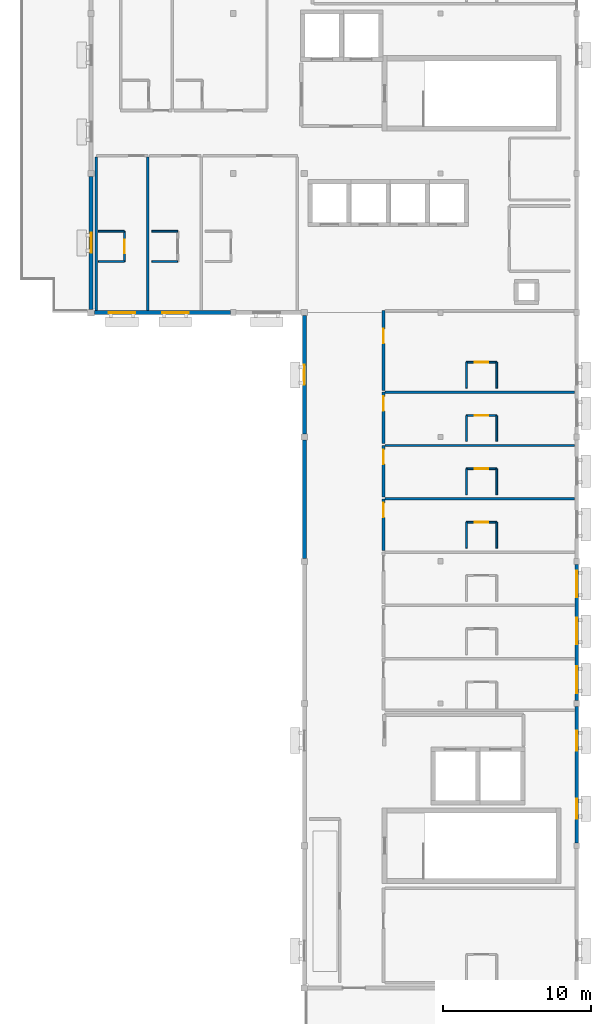
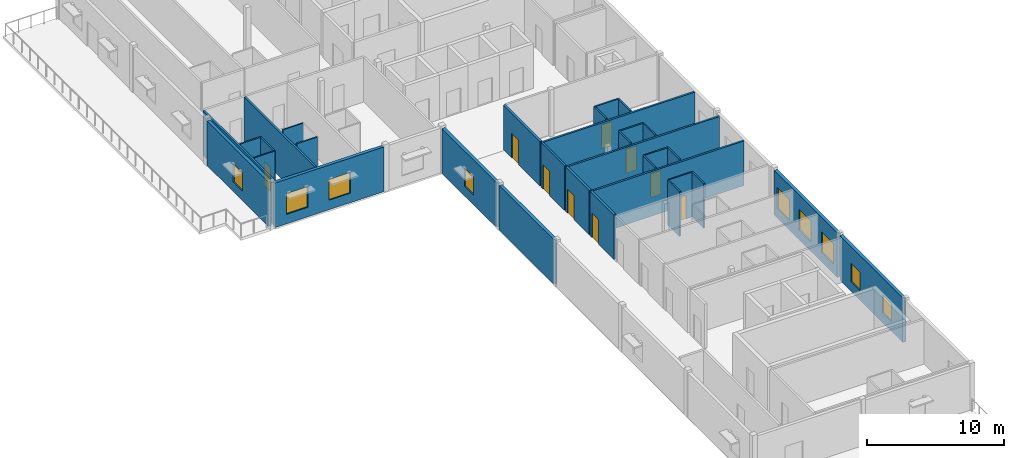
# One storey, part 5 of 9: 32 walls, 9 doors, 9 windows, 18 openings.
"""IFC4 building model written with IfcOpenShell, lengths in metres."""

from ifc_helpers import new_model, si_unit, direction, frame, frame_2d, origin, place, context, subcontext, project, spatial, rectangle, extrude, material, layer, layer_set, type_object, element, fill, save


model = new_model("IFC4")

# Units and contexts
model_context = context("Model", 3, precision=1e-05, world=origin(), true_north=direction((0.0, 1.0)))
body_context = subcontext(model_context, "Body", "Model", "MODEL_VIEW")
ifc_project = project(units=[si_unit("LENGTHUNIT", "METRE"), si_unit("AREAUNIT", "SQUARE_METRE"), si_unit("VOLUMEUNIT", "CUBIC_METRE"), si_unit("PLANEANGLEUNIT", "RADIAN"), si_unit("MASSUNIT", "GRAM", prefix="KILO")], contexts=[model_context])

# Site, building, storey
site_placement = place(None, origin())
site = spatial("IfcSite", under=ifc_project, at=site_placement, CompositionType="ELEMENT")
building_placement = place(site_placement, origin())
building = spatial("IfcBuilding", under=site, at=building_placement, Name="Veldera Park Congress Hotel", CompositionType="ELEMENT")
storey_placement = place(building_placement, frame((0.0, 0.0, 46.60009765625)))
storey = spatial("IfcBuildingStorey", under=building, at=storey_placement, Name="L11", CompositionType="ELEMENT", Elevation=46.60009765625)

# Wall, openings, windows
ifc_material_1 = material(Name="Cross-laminated timber CLT V2M1.1", Category="wood")
ifc_layer_1 = layer(ifc_material_1, 0.264892578125)
ifc_layer_set_1 = layer_set([ifc_layer_1], Name="Cross-laminated timber CLT V2M1.1")
wall_type_1 = type_object("IfcWallType", Name="EW-CLT265", PredefinedType="STANDARD", material=ifc_layer_set_1)
wall_1_placement = place(storey_placement, frame((84.0, -8.806884765625, 0.0), z_axis=(0.0, 0.0, 1.0), x_axis=(0.0, 1.0, 0.0)))
wall_1 = element("IfcWall", 1, at=wall_1_placement, inside=storey, type_object=wall_type_1, Name="L11 Exterior Wall EW3-L11-0452", PredefinedType="STANDARD", context=body_context, shape_type="SweptSolid", body=[
    extrude(rectangle(XDim=9.2138671875, YDim=0.264892578125, at=frame_2d((4.60693359375, 0.0))), origin(), (0.0, 0.0, 1.0), 3.989990234375),
])
opening_1_placement = place(wall_1_placement, frame((1.62841796875, 0.0, 0.85009765625)))
opening_1 = element("IfcOpeningElement", 2, at=opening_1_placement, cuts=wall_1, Name="Opening WIN-1350", PredefinedType="OPENING", context=body_context, shape_type="SweptSolid", body=[
    extrude(rectangle(XDim=1.35009765625, YDim=1.64990234375, at=frame_2d((0.675048828125, 0.824951171875))), frame((0.0, 0.14453125, 0.0), z_axis=(0.0, -1.0, 0.0), x_axis=(1.0, 0.0, 0.0)), (0.0, 0.0, 1.0), 0.288818359375),
])
opening_2_placement = place(wall_1_placement, frame((6.235595703125, 0.0, 0.85009765625)))
opening_2 = element("IfcOpeningElement", 3, at=opening_2_placement, cuts=wall_1, Name="Opening WIN-1350", PredefinedType="OPENING", context=body_context, shape_type="SweptSolid", body=[
    extrude(rectangle(XDim=1.35009765625, YDim=1.64990234375, at=frame_2d((0.675048828125, 0.824951171875))), frame((0.0, 0.14453125, 0.0), z_axis=(0.0, -1.0, 0.0), x_axis=(1.0, 0.0, 0.0)), (0.0, 0.0, 1.0), 0.288818359375),
])
ifc_material_2 = material(Name="Low-E Triple Insulating Glass Unit (SHGC 0.22)", Category="glass")
window_type_1 = type_object("IfcWindowType", Name="WIN-1350", PartitioningType="SINGLE_PANEL", PredefinedType="WINDOW", material=ifc_material_2)
window_1_placement = place(opening_1_placement, origin())
window_1 = element("IfcWindow", 4, at=window_1_placement, inside=storey, type_object=window_type_1, Name="L11 Window WIN-1350 345", OverallHeight=1.64990234375, OverallWidth=1.35009765625, PartitioningType="SINGLE_PANEL", PredefinedType="WINDOW", context=body_context, shape_type="SweptSolid", body=[
    extrude(rectangle(XDim=1.35009765625, YDim=1.64990234375, at=frame_2d((0.675048828125, 0.824951171875))), frame((0.0, 0.030029296875, 0.0), z_axis=(0.0, -1.0, 0.0), x_axis=(1.0, 0.0, 0.0)), (0.0, 0.0, 1.0), 0.06005859375),
])
fill(opening_1, window_1)
window_2_placement = place(opening_2_placement, origin())
window_2 = element("IfcWindow", 5, at=window_2_placement, inside=storey, type_object=window_type_1, Name="L11 Window WIN-1350 346", OverallHeight=1.64990234375, OverallWidth=1.35009765625, PartitioningType="SINGLE_PANEL", PredefinedType="WINDOW", context=body_context, shape_type="SweptSolid", body=[
    extrude(rectangle(XDim=1.35009765625, YDim=1.64990234375, at=frame_2d((0.675048828125, 0.824951171875))), frame((0.0, 0.030029296875, 0.0), z_axis=(0.0, -1.0, 0.0), x_axis=(1.0, 0.0, 0.0)), (0.0, 0.0, 1.0), 0.06005859375),
])
fill(opening_2, window_2)

wall_2_placement = place(storey_placement, frame((84.0, 0.79296875, 0.0), z_axis=(0.0, 0.0, 1.0), x_axis=(0.0, 1.0, 0.0)))
wall_2 = element("IfcWall", 6, at=wall_2_placement, inside=storey, type_object=wall_type_1, Name="L11 Exterior Wall EW3-L11-0453", PredefinedType="STANDARD", context=body_context, shape_type="SweptSolid", body=[
    extrude(rectangle(XDim=9.214111328125, YDim=0.264892578125, at=frame_2d((4.60693359375, 0.0))), origin(), (0.0, 0.0, 1.0), 3.989990234375),
])
opening_3_placement = place(wall_2_placement, frame((0.5185546875, 0.0, 0.85009765625)))
opening_3 = element("IfcOpeningElement", 7, at=opening_3_placement, cuts=wall_2, Name="Opening WIN-1800", PredefinedType="OPENING", context=body_context, shape_type="SweptSolid", body=[
    extrude(rectangle(XDim=1.800048828125, YDim=1.85009765625, at=frame_2d((0.89990234375, 0.925048828125))), frame((0.0, 0.14453125, 0.0), z_axis=(0.0, -1.0, 0.0), x_axis=(1.0, 0.0, 0.0)), (0.0, 0.0, 1.0), 0.288818359375),
])
opening_4_placement = place(wall_2_placement, frame((3.797119140625, 0.0, 0.85009765625)))
opening_4 = element("IfcOpeningElement", 8, at=opening_4_placement, cuts=wall_2, Name="Opening WIN-1800", PredefinedType="OPENING", context=body_context, shape_type="SweptSolid", body=[
    extrude(rectangle(XDim=1.800048828125, YDim=1.85009765625, at=frame_2d((0.89990234375, 0.925048828125))), frame((0.0, 0.14453125, 0.0), z_axis=(0.0, -1.0, 0.0), x_axis=(1.0, 0.0, 0.0)), (0.0, 0.0, 1.0), 0.288818359375),
])
opening_5_placement = place(wall_2_placement, frame((6.985595703125, 0.0, 0.85009765625)))
opening_5 = element("IfcOpeningElement", 9, at=opening_5_placement, cuts=wall_2, Name="Opening WIN-1800", PredefinedType="OPENING", context=body_context, shape_type="SweptSolid", body=[
    extrude(rectangle(XDim=1.800048828125, YDim=1.85009765625, at=frame_2d((0.89990234375, 0.925048828125))), frame((0.0, 0.14453125, 0.0), z_axis=(0.0, -1.0, 0.0), x_axis=(1.0, 0.0, 0.0)), (0.0, 0.0, 1.0), 0.288818359375),
])
window_type_2 = type_object("IfcWindowType", Name="WIN-1800", PartitioningType="SINGLE_PANEL", PredefinedType="WINDOW", material=ifc_material_2)
window_3_placement = place(opening_3_placement, origin())
window_3 = element("IfcWindow", 10, at=window_3_placement, inside=storey, type_object=window_type_2, Name="L11 Window WIN-1800 596", OverallHeight=1.85009765625, OverallWidth=1.800048828125, PartitioningType="SINGLE_PANEL", PredefinedType="WINDOW", context=body_context, shape_type="SweptSolid", body=[
    extrude(rectangle(XDim=1.800048828125, YDim=1.85009765625, at=frame_2d((0.89990234375, 0.925048828125))), frame((0.0, 0.030029296875, 0.0), z_axis=(0.0, -1.0, 0.0), x_axis=(1.0, 0.0, 0.0)), (0.0, 0.0, 1.0), 0.06005859375),
])
fill(opening_3, window_3)
window_4_placement = place(opening_4_placement, origin())
window_4 = element("IfcWindow", 11, at=window_4_placement, inside=storey, type_object=window_type_2, Name="L11 Window WIN-1800 597", OverallHeight=1.85009765625, OverallWidth=1.800048828125, PartitioningType="SINGLE_PANEL", PredefinedType="WINDOW", context=body_context, shape_type="SweptSolid", body=[
    extrude(rectangle(XDim=1.800048828125, YDim=1.85009765625, at=frame_2d((0.89990234375, 0.925048828125))), frame((0.0, 0.030029296875, 0.0), z_axis=(0.0, -1.0, 0.0), x_axis=(1.0, 0.0, 0.0)), (0.0, 0.0, 1.0), 0.06005859375),
])
fill(opening_4, window_4)
window_5_placement = place(opening_5_placement, origin())
window_5 = element("IfcWindow", 12, at=window_5_placement, inside=storey, type_object=window_type_2, Name="L11 Window WIN-1800 598", OverallHeight=1.85009765625, OverallWidth=1.800048828125, PartitioningType="SINGLE_PANEL", PredefinedType="WINDOW", context=body_context, shape_type="SweptSolid", body=[
    extrude(rectangle(XDim=1.800048828125, YDim=1.85009765625, at=frame_2d((0.89990234375, 0.925048828125))), frame((0.0, 0.030029296875, 0.0), z_axis=(0.0, -1.0, 0.0), x_axis=(1.0, 0.0, 0.0)), (0.0, 0.0, 1.0), 0.06005859375),
])
fill(opening_5, window_5)

# Wall, opening, window
wall_3_placement = place(storey_placement, frame((51.199951171875, 36.19189453125, 0.0), z_axis=(0.0, 0.0, 1.0), x_axis=(0.0, -1.0, 0.0)))
wall_3 = element("IfcWall", 13, at=wall_3_placement, inside=storey, type_object=wall_type_1, Name="L11 Exterior Wall EW3-L11-0463", PredefinedType="STANDARD", context=body_context, shape_type="SweptSolid", body=[
    extrude(rectangle(XDim=8.968994140625, YDim=0.264892578125, at=frame_2d((4.484375, 0.0))), origin(), (0.0, 0.0, 1.0), 3.989990234375),
])
opening_6_placement = place(wall_3_placement, frame((3.8095703125, 0.0, 0.85009765625)))
opening_6 = element("IfcOpeningElement", 14, at=opening_6_placement, cuts=wall_3, Name="Opening WIN-1350", PredefinedType="OPENING", context=body_context, shape_type="SweptSolid", body=[
    extrude(rectangle(XDim=1.35009765625, YDim=1.64990234375, at=frame_2d((0.675048828125, 0.824951171875))), frame((0.0, 0.14453125, 0.0), z_axis=(0.0, -1.0, 0.0), x_axis=(1.0, 0.0, 0.0)), (0.0, 0.0, 1.0), 0.288818359375),
])
window_6_placement = place(opening_6_placement, origin())
window_6 = element("IfcWindow", 15, at=window_6_placement, inside=storey, type_object=window_type_1, Name="L11 Window WIN-1350 353", OverallHeight=1.64990234375, OverallWidth=1.35009765625, PartitioningType="SINGLE_PANEL", PredefinedType="WINDOW", context=body_context, shape_type="SweptSolid", body=[
    extrude(rectangle(XDim=1.35009765625, YDim=1.64990234375, at=frame_2d((0.675048828125, 0.824951171875))), frame((0.0, 0.030029296875, 0.0), z_axis=(0.0, -1.0, 0.0), x_axis=(1.0, 0.0, 0.0)), (0.0, 0.0, 1.0), 0.06005859375),
])
fill(opening_6, window_6)

# Wall, openings, windows
wall_4_placement = place(storey_placement, frame((51.423095703125, 27.0, 0.0), z_axis=(0.0, 0.0, 1.0), x_axis=(1.0, 0.0, 0.0)))
wall_4 = element("IfcWall", 16, at=wall_4_placement, inside=storey, type_object=wall_type_1, Name="L11 Exterior Wall EW3-L11-0464", PredefinedType="STANDARD", context=body_context, shape_type="SweptSolid", body=[
    extrude(rectangle(XDim=9.183837890625, YDim=0.264892578125, at=frame_2d((4.591796875, 0.0))), origin(), (0.0, 0.0, 1.0), 3.989990234375),
])
opening_7_placement = place(wall_4_placement, frame((0.967041015625, 0.0, 0.85009765625)))
opening_7 = element("IfcOpeningElement", 17, at=opening_7_placement, cuts=wall_4, Name="Opening WIN-1800", PredefinedType="OPENING", context=body_context, shape_type="SweptSolid", body=[
    extrude(rectangle(XDim=1.800048828125, YDim=1.85009765625, at=frame_2d((0.89990234375, 0.925048828125))), frame((0.0, 0.14453125, 0.0), z_axis=(0.0, -1.0, 0.0), x_axis=(1.0, 0.0, 0.0)), (0.0, 0.0, 1.0), 0.288818359375),
])
opening_8_placement = place(wall_4_placement, frame((4.56689453125, 0.0, 0.85009765625)))
opening_8 = element("IfcOpeningElement", 18, at=opening_8_placement, cuts=wall_4, Name="Opening WIN-1800", PredefinedType="OPENING", context=body_context, shape_type="SweptSolid", body=[
    extrude(rectangle(XDim=1.800048828125, YDim=1.85009765625, at=frame_2d((0.89990234375, 0.925048828125))), frame((0.0, 0.14453125, 0.0), z_axis=(0.0, -1.0, 0.0), x_axis=(1.0, 0.0, 0.0)), (0.0, 0.0, 1.0), 0.288818359375),
])
window_7_placement = place(opening_7_placement, origin())
window_7 = element("IfcWindow", 19, at=window_7_placement, inside=storey, type_object=window_type_2, Name="L11 Window WIN-1800 602", OverallHeight=1.85009765625, OverallWidth=1.800048828125, PartitioningType="SINGLE_PANEL", PredefinedType="WINDOW", context=body_context, shape_type="SweptSolid", body=[
    extrude(rectangle(XDim=1.800048828125, YDim=1.85009765625, at=frame_2d((0.89990234375, 0.925048828125))), frame((0.0, 0.030029296875, 0.0), z_axis=(0.0, -1.0, 0.0), x_axis=(1.0, 0.0, 0.0)), (0.0, 0.0, 1.0), 0.06005859375),
])
fill(opening_7, window_7)
window_8_placement = place(opening_8_placement, origin())
window_8 = element("IfcWindow", 20, at=window_8_placement, inside=storey, type_object=window_type_2, Name="L11 Window WIN-1800 603", OverallHeight=1.85009765625, OverallWidth=1.800048828125, PartitioningType="SINGLE_PANEL", PredefinedType="WINDOW", context=body_context, shape_type="SweptSolid", body=[
    extrude(rectangle(XDim=1.800048828125, YDim=1.85009765625, at=frame_2d((0.89990234375, 0.925048828125))), frame((0.0, 0.030029296875, 0.0), z_axis=(0.0, -1.0, 0.0), x_axis=(1.0, 0.0, 0.0)), (0.0, 0.0, 1.0), 0.06005859375),
])
fill(opening_8, window_8)

# Wall, opening, window
wall_5_placement = place(storey_placement, frame((65.60009765625, 26.7919921875, 0.0), z_axis=(0.0, 0.0, 1.0), x_axis=(0.0, -1.0, 0.0)))
wall_5 = element("IfcWall", 21, at=wall_5_placement, inside=storey, type_object=wall_type_1, Name="L11 Exterior Wall EW3-L11-0466", PredefinedType="STANDARD", context=body_context, shape_type="SweptSolid", body=[
    extrude(rectangle(XDim=7.98388671875, YDim=0.264892578125, at=frame_2d((3.991943359375, 0.0))), origin(), (0.0, 0.0, 1.0), 3.989990234375),
])
opening_9_placement = place(wall_5_placement, frame((3.31689453125, 0.0, 0.85009765625)))
opening_9 = element("IfcOpeningElement", 22, at=opening_9_placement, cuts=wall_5, Name="Opening WIN-1350", PredefinedType="OPENING", context=body_context, shape_type="SweptSolid", body=[
    extrude(rectangle(XDim=1.35009765625, YDim=1.64990234375, at=frame_2d((0.675048828125, 0.824951171875))), frame((0.0, 0.14453125, 0.0), z_axis=(0.0, -1.0, 0.0), x_axis=(1.0, 0.0, 0.0)), (0.0, 0.0, 1.0), 0.288818359375),
])
window_9_placement = place(opening_9_placement, origin())
window_9 = element("IfcWindow", 23, at=window_9_placement, inside=storey, type_object=window_type_1, Name="L11 Window WIN-1350 354", OverallHeight=1.64990234375, OverallWidth=1.35009765625, PartitioningType="SINGLE_PANEL", PredefinedType="WINDOW", context=body_context, shape_type="SweptSolid", body=[
    extrude(rectangle(XDim=1.35009765625, YDim=1.64990234375, at=frame_2d((0.675048828125, 0.824951171875))), frame((0.0, 0.030029296875, 0.0), z_axis=(0.0, -1.0, 0.0), x_axis=(1.0, 0.0, 0.0)), (0.0, 0.0, 1.0), 0.06005859375),
])
fill(opening_9, window_9)

# Walls
wall_6_placement = place(storey_placement, frame((65.60009765625, 18.39208984375, 0.0), z_axis=(0.0, 0.0, 1.0), x_axis=(0.0, -1.0, 0.0)))
element("IfcWall", 24, at=wall_6_placement, inside=storey, type_object=wall_type_1, Name="L11 Exterior Wall EW3-L11-0467", PredefinedType="STANDARD", context=body_context, shape_type="SweptSolid", body=[
    extrude(rectangle(XDim=7.984130859375, YDim=0.264892578125, at=frame_2d((3.9921875, 0.0))), origin(), (0.0, 0.0, 1.0), 3.989990234375),
])
ifc_material_3 = material(Name="Fire-Rated Gypsum Board on Cold-Formed Steel Studs", Category="steel")
ifc_layer_2 = layer(ifc_material_3, 0.1201171875)
ifc_layer_set_2 = layer_set([ifc_layer_2], Name="Fire-Rated Gypsum Board on Cold-Formed Steel Studs")
wall_type_2 = type_object("IfcWallType", Name="IW-BATH120", PredefinedType="PARTITIONING", material=ifc_layer_set_2)
for number, where, z_axis, x_axis, name in (
    (25, (76.550048828125, 11.10009765625, 0.0), (0.0, 0.0, 1.0), (0.0, 1.0, 0.0), "L11 Partition Wall IW3-L11-01818"),
    (26, (78.60009765625, 11.10009765625, 0.0), (0.0, 0.0, 1.0), (0.0, 1.0, 0.0), "L11 Partition Wall IW3-L11-01819"),
):
    element("IfcWall", number, at=place(storey_placement, frame(where, z_axis=z_axis, x_axis=x_axis)), inside=storey, type_object=wall_type_2, Name=name, PredefinedType="PARTITIONING", context=body_context, shape_type="SweptSolid", body=[
        extrude(rectangle(XDim=1.75, YDim=0.1201171875, at=frame_2d((0.875, 0.0))), origin(), (0.0, 0.0, 1.0), 3.989990234375),
    ])

# Wall, opening, door
wall_7_placement = place(storey_placement, frame((76.550048828125, 12.85009765625, 0.0), z_axis=(0.0, 0.0, 1.0), x_axis=(1.0, 0.0, 0.0)))
wall_7 = element("IfcWall", 27, at=wall_7_placement, inside=storey, type_object=wall_type_2, Name="L11 Partition Wall IW3-L11-01820", PredefinedType="PARTITIONING", context=body_context, shape_type="SweptSolid", body=[
    extrude(rectangle(XDim=2.050048828125, YDim=0.1201171875, at=frame_2d((1.02490234375, 0.0))), origin(), (0.0, 0.0, 1.0), 3.989990234375),
])
opening_10_placement = place(wall_7_placement, frame((0.574951171875, 0.0, 0.0)))
opening_10 = element("IfcOpeningElement", 28, at=opening_10_placement, cuts=wall_7, Name="Opening ID-BATH090", PredefinedType="OPENING", context=body_context, shape_type="SweptSolid", body=[
    extrude(rectangle(XDim=0.89990234375, YDim=2.14990234375, at=frame_2d((0.449951171875, 1.074951171875))), frame((0.0, 0.072021484375, 0.0), z_axis=(0.0, -1.0, 0.0), x_axis=(1.0, 0.0, 0.0)), (0.0, 0.0, 1.0), 0.14404296875),
])
ifc_material_4 = material(Name="Solid Core White Oak Architectural Door", Category="wood")
door_type_1 = type_object("IfcDoorType", Name="ID-BATH090", OperationType="NOTDEFINED", PredefinedType="DOOR", material=ifc_material_4)
door_1_placement = place(opening_10_placement, origin())
door_1 = element("IfcDoor", 29, at=door_1_placement, inside=storey, type_object=door_type_1, Name="L11 En-suite 303 Door ID3-L11-0745 (DR3-ID3-L11-0745)", OperationType="SINGLE_SWING_LEFT", OverallHeight=2.14990234375, OverallWidth=0.89990234375, PredefinedType="DOOR", context=body_context, shape_type="SweptSolid", body=[
    extrude(rectangle(XDim=0.89990234375, YDim=2.14990234375, at=frame_2d((0.449951171875, 1.074951171875))), frame((0.0, 0.02490234375, 0.0), z_axis=(0.0, -1.0, 0.0), x_axis=(1.0, 0.0, 0.0)), (0.0, 0.0, 1.0), 0.050048828125),
])
fill(opening_10, door_1)

# Walls
for number, where, z_axis, x_axis, name in (
    (30, (76.550048828125, 14.699951171875, 0.0), (0.0, 0.0, 1.0), (0.0, 1.0, 0.0), "L11 Partition Wall IW3-L11-01823"),
    (31, (78.60009765625, 14.699951171875, 0.0), (0.0, 0.0, 1.0), (0.0, 1.0, 0.0), "L11 Partition Wall IW3-L11-01824"),
):
    element("IfcWall", number, at=place(storey_placement, frame(where, z_axis=z_axis, x_axis=x_axis)), inside=storey, type_object=wall_type_2, Name=name, PredefinedType="PARTITIONING", context=body_context, shape_type="SweptSolid", body=[
        extrude(rectangle(XDim=1.75, YDim=0.1201171875, at=frame_2d((0.875, 0.0))), origin(), (0.0, 0.0, 1.0), 3.989990234375),
    ])

# Wall, opening, door
wall_8_placement = place(storey_placement, frame((76.550048828125, 16.449951171875, 0.0), z_axis=(0.0, 0.0, 1.0), x_axis=(1.0, 0.0, 0.0)))
wall_8 = element("IfcWall", 32, at=wall_8_placement, inside=storey, type_object=wall_type_2, Name="L11 Partition Wall IW3-L11-01825", PredefinedType="PARTITIONING", context=body_context, shape_type="SweptSolid", body=[
    extrude(rectangle(XDim=2.050048828125, YDim=0.1201171875, at=frame_2d((1.02490234375, 0.0))), origin(), (0.0, 0.0, 1.0), 3.989990234375),
])
opening_11_placement = place(wall_8_placement, frame((0.574951171875, 0.0, 0.0)))
opening_11 = element("IfcOpeningElement", 33, at=opening_11_placement, cuts=wall_8, Name="Opening ID-BATH090", PredefinedType="OPENING", context=body_context, shape_type="SweptSolid", body=[
    extrude(rectangle(XDim=0.89990234375, YDim=2.14990234375, at=frame_2d((0.449951171875, 1.074951171875))), frame((0.0, 0.072021484375, 0.0), z_axis=(0.0, -1.0, 0.0), x_axis=(1.0, 0.0, 0.0)), (0.0, 0.0, 1.0), 0.14404296875),
])
door_2_placement = place(opening_11_placement, origin())
door_2 = element("IfcDoor", 34, at=door_2_placement, inside=storey, type_object=door_type_1, Name="L11 En-suite 304 Door ID3-L11-0747 (DR3-ID3-L11-0747)", OperationType="SINGLE_SWING_LEFT", OverallHeight=2.14990234375, OverallWidth=0.89990234375, PredefinedType="DOOR", context=body_context, shape_type="SweptSolid", body=[
    extrude(rectangle(XDim=0.89990234375, YDim=2.14990234375, at=frame_2d((0.449951171875, 1.074951171875))), frame((0.0, 0.02490234375, 0.0), z_axis=(0.0, -1.0, 0.0), x_axis=(1.0, 0.0, 0.0)), (0.0, 0.0, 1.0), 0.050048828125),
])
fill(opening_11, door_2)

# Walls
for number, where, z_axis, x_axis, name in (
    (35, (76.550048828125, 18.300048828125, 0.0), (0.0, 0.0, 1.0), (0.0, 1.0, 0.0), "L11 Partition Wall IW3-L11-01828"),
    (36, (78.60009765625, 18.300048828125, 0.0), (0.0, 0.0, 1.0), (0.0, 1.0, 0.0), "L11 Partition Wall IW3-L11-01829"),
):
    element("IfcWall", number, at=place(storey_placement, frame(where, z_axis=z_axis, x_axis=x_axis)), inside=storey, type_object=wall_type_2, Name=name, PredefinedType="PARTITIONING", context=body_context, shape_type="SweptSolid", body=[
        extrude(rectangle(XDim=1.75, YDim=0.1201171875, at=frame_2d((0.875, 0.0))), origin(), (0.0, 0.0, 1.0), 3.989990234375),
    ])

# Wall, opening, door
wall_9_placement = place(storey_placement, frame((76.550048828125, 20.050048828125, 0.0), z_axis=(0.0, 0.0, 1.0), x_axis=(1.0, 0.0, 0.0)))
wall_9 = element("IfcWall", 37, at=wall_9_placement, inside=storey, type_object=wall_type_2, Name="L11 Partition Wall IW3-L11-01830", PredefinedType="PARTITIONING", context=body_context, shape_type="SweptSolid", body=[
    extrude(rectangle(XDim=2.050048828125, YDim=0.1201171875, at=frame_2d((1.02490234375, 0.0))), origin(), (0.0, 0.0, 1.0), 3.989990234375),
])
opening_12_placement = place(wall_9_placement, frame((0.574951171875, 0.0, 0.0)))
opening_12 = element("IfcOpeningElement", 38, at=opening_12_placement, cuts=wall_9, Name="Opening ID-BATH090", PredefinedType="OPENING", context=body_context, shape_type="SweptSolid", body=[
    extrude(rectangle(XDim=0.89990234375, YDim=2.14990234375, at=frame_2d((0.449951171875, 1.074951171875))), frame((0.0, 0.072021484375, 0.0), z_axis=(0.0, -1.0, 0.0), x_axis=(1.0, 0.0, 0.0)), (0.0, 0.0, 1.0), 0.14404296875),
])
door_3_placement = place(opening_12_placement, origin())
door_3 = element("IfcDoor", 39, at=door_3_placement, inside=storey, type_object=door_type_1, Name="L11 En-suite 305 Door ID3-L11-0749 (DR3-ID3-L11-0749)", OperationType="SINGLE_SWING_LEFT", OverallHeight=2.14990234375, OverallWidth=0.89990234375, PredefinedType="DOOR", context=body_context, shape_type="SweptSolid", body=[
    extrude(rectangle(XDim=0.89990234375, YDim=2.14990234375, at=frame_2d((0.449951171875, 1.074951171875))), frame((0.0, 0.02490234375, 0.0), z_axis=(0.0, -1.0, 0.0), x_axis=(1.0, 0.0, 0.0)), (0.0, 0.0, 1.0), 0.050048828125),
])
fill(opening_12, door_3)

# Walls
for number, where, z_axis, x_axis, name in (
    (40, (76.550048828125, 21.89990234375, 0.0), (0.0, 0.0, 1.0), (0.0, 1.0, 0.0), "L11 Partition Wall IW3-L11-01833"),
    (41, (78.60009765625, 21.89990234375, 0.0), (0.0, 0.0, 1.0), (0.0, 1.0, 0.0), "L11 Partition Wall IW3-L11-01834"),
):
    element("IfcWall", number, at=place(storey_placement, frame(where, z_axis=z_axis, x_axis=x_axis)), inside=storey, type_object=wall_type_2, Name=name, PredefinedType="PARTITIONING", context=body_context, shape_type="SweptSolid", body=[
        extrude(rectangle(XDim=1.75, YDim=0.1201171875, at=frame_2d((0.875, 0.0))), origin(), (0.0, 0.0, 1.0), 3.989990234375),
    ])

# Wall, opening, door
wall_10_placement = place(storey_placement, frame((76.550048828125, 23.64990234375, 0.0), z_axis=(0.0, 0.0, 1.0), x_axis=(1.0, 0.0, 0.0)))
wall_10 = element("IfcWall", 42, at=wall_10_placement, inside=storey, type_object=wall_type_2, Name="L11 Partition Wall IW3-L11-01835", PredefinedType="PARTITIONING", context=body_context, shape_type="SweptSolid", body=[
    extrude(rectangle(XDim=2.050048828125, YDim=0.1201171875, at=frame_2d((1.02490234375, 0.0))), origin(), (0.0, 0.0, 1.0), 3.989990234375),
])
opening_13_placement = place(wall_10_placement, frame((0.574951171875, 0.0, 0.0)))
opening_13 = element("IfcOpeningElement", 43, at=opening_13_placement, cuts=wall_10, Name="Opening ID-BATH090", PredefinedType="OPENING", context=body_context, shape_type="SweptSolid", body=[
    extrude(rectangle(XDim=0.89990234375, YDim=2.14990234375, at=frame_2d((0.449951171875, 1.074951171875))), frame((0.0, 0.072021484375, 0.0), z_axis=(0.0, -1.0, 0.0), x_axis=(1.0, 0.0, 0.0)), (0.0, 0.0, 1.0), 0.14404296875),
])
door_4_placement = place(opening_13_placement, origin())
door_4 = element("IfcDoor", 44, at=door_4_placement, inside=storey, type_object=door_type_1, Name="L11 En-suite 306 Door ID3-L11-0751 (DR3-ID3-L11-0751)", OperationType="SINGLE_SWING_LEFT", OverallHeight=2.14990234375, OverallWidth=0.89990234375, PredefinedType="DOOR", context=body_context, shape_type="SweptSolid", body=[
    extrude(rectangle(XDim=0.89990234375, YDim=2.14990234375, at=frame_2d((0.449951171875, 1.074951171875))), frame((0.0, 0.02490234375, 0.0), z_axis=(0.0, -1.0, 0.0), x_axis=(1.0, 0.0, 0.0)), (0.0, 0.0, 1.0), 0.050048828125),
])
fill(opening_13, door_4)

# Wall
wall_11_placement = place(storey_placement, frame((51.699951171875, 32.5, 0.0), z_axis=(0.0, 0.0, 1.0), x_axis=(1.0, 0.0, 0.0)))
element("IfcWall", 45, at=wall_11_placement, inside=storey, type_object=wall_type_2, Name="L11 Partition Wall IW3-L11-01839", PredefinedType="PARTITIONING", context=body_context, shape_type="SweptSolid", body=[
    extrude(rectangle(XDim=1.75, YDim=0.1201171875, at=frame_2d((0.875, 0.0))), origin(), (0.0, 0.0, 1.0), 3.989990234375),
])

# Wall, opening, door
wall_12_placement = place(storey_placement, frame((53.449951171875, 30.449951171875, 0.0), z_axis=(0.0, 0.0, 1.0), x_axis=(0.0, 1.0, 0.0)))
wall_12 = element("IfcWall", 46, at=wall_12_placement, inside=storey, type_object=wall_type_2, Name="L11 Partition Wall IW3-L11-01840", PredefinedType="PARTITIONING", context=body_context, shape_type="SweptSolid", body=[
    extrude(rectangle(XDim=2.050048828125, YDim=0.1201171875, at=frame_2d((1.02490234375, 0.0))), origin(), (0.0, 0.0, 1.0), 3.989990234375),
])
opening_14_placement = place(wall_12_placement, frame((0.574951171875, 0.0, 0.0)))
opening_14 = element("IfcOpeningElement", 47, at=opening_14_placement, cuts=wall_12, Name="Opening ID-BATH090", PredefinedType="OPENING", context=body_context, shape_type="SweptSolid", body=[
    extrude(rectangle(XDim=0.89990234375, YDim=2.14990234375, at=frame_2d((0.449951171875, 1.074951171875))), frame((0.0, 0.072021484375, 0.0), z_axis=(0.0, -1.0, 0.0), x_axis=(1.0, 0.0, 0.0)), (0.0, 0.0, 1.0), 0.14404296875),
])
door_5_placement = place(opening_14_placement, origin())
door_5 = element("IfcDoor", 48, at=door_5_placement, inside=storey, type_object=door_type_1, Name="L11 En-suite 307 Door ID3-L11-0753 (DR3-ID3-L11-0753)", OperationType="SINGLE_SWING_LEFT", OverallHeight=2.14990234375, OverallWidth=0.89990234375, PredefinedType="DOOR", context=body_context, shape_type="SweptSolid", body=[
    extrude(rectangle(XDim=0.89990234375, YDim=2.14990234375, at=frame_2d((0.449951171875, 1.074951171875))), frame((0.0, 0.02490234375, 0.0), z_axis=(0.0, -1.0, 0.0), x_axis=(1.0, 0.0, 0.0)), (0.0, 0.0, 1.0), 0.050048828125),
])
fill(opening_14, door_5)

# Walls
for number, where, z_axis, x_axis, name in (
    (49, (51.699951171875, 30.449951171875, 0.0), (0.0, 0.0, 1.0), (1.0, 0.0, 0.0), "L11 Partition Wall IW3-L11-01841"),
    (50, (55.300048828125, 32.5, 0.0), (0.0, 0.0, 1.0), (1.0, 0.0, 0.0), "L11 Partition Wall IW3-L11-01844"),
    (51, (55.300048828125, 30.449951171875, 0.0), (0.0, 0.0, 1.0), (1.0, 0.0, 0.0), "L11 Partition Wall IW3-L11-01846"),
):
    element("IfcWall", number, at=place(storey_placement, frame(where, z_axis=z_axis, x_axis=x_axis)), inside=storey, type_object=wall_type_2, Name=name, PredefinedType="PARTITIONING", context=body_context, shape_type="SweptSolid", body=[
        extrude(rectangle(XDim=1.75, YDim=0.1201171875, at=frame_2d((0.875, 0.0))), origin(), (0.0, 0.0, 1.0), 3.989990234375),
    ])

# Wall, opening, door
ifc_layer_3 = layer(ifc_material_3, 0.179931640625)
ifc_layer_set_3 = layer_set([ifc_layer_3], Name="Fire-Rated Gypsum Board on Cold-Formed Steel Studs")
wall_type_3 = type_object("IfcWallType", Name="IW-CORR180", PredefinedType="PARTITIONING", material=ifc_layer_set_3)
wall_13_placement = place(storey_placement, frame((70.949951171875, 14.429931640625, 0.0), z_axis=(0.0, 0.0, 1.0), x_axis=(0.0, -1.0, 0.0)))
wall_13 = element("IfcWall", 52, at=wall_13_placement, inside=storey, type_object=wall_type_3, Name="L11 Corridor Wall IW3-L11-01816", PredefinedType="PARTITIONING", context=body_context, shape_type="SweptSolid", body=[
    extrude(rectangle(XDim=3.47998046875, YDim=0.179931640625, at=frame_2d((1.739990234375, 0.0))), origin(), (0.0, 0.0, 1.0), 3.989990234375),
])
opening_15_placement = place(wall_13_placement, frame((0.280029296875, 0.0, 0.0)))
opening_15 = element("IfcOpeningElement", 53, at=opening_15_placement, cuts=wall_13, Name="Opening ID-UNIT098", PredefinedType="OPENING", context=body_context, shape_type="SweptSolid", body=[
    extrude(rectangle(XDim=0.97998046875, YDim=2.179931640625, at=frame_2d((0.489990234375, 1.08984375))), frame((0.0, 0.10205078125, 0.0), z_axis=(0.0, -1.0, 0.0), x_axis=(1.0, 0.0, 0.0)), (0.0, 0.0, 1.0), 0.203857421875),
])
door_type_2 = type_object("IfcDoorType", Name="ID-UNIT098", OperationType="NOTDEFINED", PredefinedType="DOOR", material=ifc_material_4)
door_6_placement = place(opening_15_placement, origin())
door_6 = element("IfcDoor", 54, at=door_6_placement, inside=storey, type_object=door_type_2, Name="L11 Guestroom 303 Entry Door (DR3-UD3-L11-303)", OperationType="SINGLE_SWING_RIGHT", OverallHeight=2.179931640625, OverallWidth=0.97998046875, PredefinedType="DOOR", context=body_context, shape_type="SweptSolid", body=[
    extrude(rectangle(XDim=0.97998046875, YDim=2.179931640625, at=frame_2d((0.489990234375, 1.08984375))), frame((0.0, 0.02490234375, 0.0), z_axis=(0.0, -1.0, 0.0), x_axis=(1.0, 0.0, 0.0)), (0.0, 0.0, 1.0), 0.050048828125),
])
fill(opening_15, door_6)

wall_14_placement = place(storey_placement, frame((70.949951171875, 18.030029296875, 0.0), z_axis=(0.0, 0.0, 1.0), x_axis=(0.0, -1.0, 0.0)))
wall_14 = element("IfcWall", 55, at=wall_14_placement, inside=storey, type_object=wall_type_3, Name="L11 Corridor Wall IW3-L11-01821", PredefinedType="PARTITIONING", context=body_context, shape_type="SweptSolid", body=[
    extrude(rectangle(XDim=3.47998046875, YDim=0.179931640625, at=frame_2d((1.739990234375, 0.0))), origin(), (0.0, 0.0, 1.0), 3.989990234375),
])
opening_16_placement = place(wall_14_placement, frame((0.280029296875, 0.0, 0.0)))
opening_16 = element("IfcOpeningElement", 56, at=opening_16_placement, cuts=wall_14, Name="Opening ID-UNIT098", PredefinedType="OPENING", context=body_context, shape_type="SweptSolid", body=[
    extrude(rectangle(XDim=0.97998046875, YDim=2.179931640625, at=frame_2d((0.489990234375, 1.08984375))), frame((0.0, 0.10205078125, 0.0), z_axis=(0.0, -1.0, 0.0), x_axis=(1.0, 0.0, 0.0)), (0.0, 0.0, 1.0), 0.203857421875),
])
door_7_placement = place(opening_16_placement, origin())
door_7 = element("IfcDoor", 57, at=door_7_placement, inside=storey, type_object=door_type_2, Name="L11 Guestroom 304 Entry Door (DR3-UD3-L11-304)", OperationType="SINGLE_SWING_RIGHT", OverallHeight=2.179931640625, OverallWidth=0.97998046875, PredefinedType="DOOR", context=body_context, shape_type="SweptSolid", body=[
    extrude(rectangle(XDim=0.97998046875, YDim=2.179931640625, at=frame_2d((0.489990234375, 1.08984375))), frame((0.0, 0.02490234375, 0.0), z_axis=(0.0, -1.0, 0.0), x_axis=(1.0, 0.0, 0.0)), (0.0, 0.0, 1.0), 0.050048828125),
])
fill(opening_16, door_7)

wall_15_placement = place(storey_placement, frame((70.949951171875, 21.6298828125, 0.0), z_axis=(0.0, 0.0, 1.0), x_axis=(0.0, -1.0, 0.0)))
wall_15 = element("IfcWall", 58, at=wall_15_placement, inside=storey, type_object=wall_type_3, Name="L11 Corridor Wall IW3-L11-01826", PredefinedType="PARTITIONING", context=body_context, shape_type="SweptSolid", body=[
    extrude(rectangle(XDim=3.47998046875, YDim=0.179931640625, at=frame_2d((1.739990234375, 0.0))), origin(), (0.0, 0.0, 1.0), 3.989990234375),
])
opening_17_placement = place(wall_15_placement, frame((0.280029296875, 0.0, 0.0)))
opening_17 = element("IfcOpeningElement", 59, at=opening_17_placement, cuts=wall_15, Name="Opening ID-UNIT098", PredefinedType="OPENING", context=body_context, shape_type="SweptSolid", body=[
    extrude(rectangle(XDim=0.97998046875, YDim=2.179931640625, at=frame_2d((0.489990234375, 1.08984375))), frame((0.0, 0.10205078125, 0.0), z_axis=(0.0, -1.0, 0.0), x_axis=(1.0, 0.0, 0.0)), (0.0, 0.0, 1.0), 0.203857421875),
])
door_8_placement = place(opening_17_placement, origin())
door_8 = element("IfcDoor", 60, at=door_8_placement, inside=storey, type_object=door_type_2, Name="L11 Guestroom 305 Entry Door (DR3-UD3-L11-305)", OperationType="SINGLE_SWING_RIGHT", OverallHeight=2.179931640625, OverallWidth=0.97998046875, PredefinedType="DOOR", context=body_context, shape_type="SweptSolid", body=[
    extrude(rectangle(XDim=0.97998046875, YDim=2.179931640625, at=frame_2d((0.489990234375, 1.08984375))), frame((0.0, 0.02490234375, 0.0), z_axis=(0.0, -1.0, 0.0), x_axis=(1.0, 0.0, 0.0)), (0.0, 0.0, 1.0), 0.050048828125),
])
fill(opening_17, door_8)

wall_16_placement = place(storey_placement, frame((70.949951171875, 27.1298828125, 0.0), z_axis=(0.0, 0.0, 1.0), x_axis=(0.0, -1.0, 0.0)))
wall_16 = element("IfcWall", 61, at=wall_16_placement, inside=storey, type_object=wall_type_3, Name="L11 Corridor Wall IW3-L11-01831", PredefinedType="PARTITIONING", context=body_context, shape_type="SweptSolid", body=[
    extrude(rectangle(XDim=5.3798828125, YDim=0.179931640625, at=frame_2d((2.68994140625, 0.0))), origin(), (0.0, 0.0, 1.0), 3.989990234375),
])
opening_18_placement = place(wall_16_placement, frame((1.219970703125, 0.0, 0.0)))
opening_18 = element("IfcOpeningElement", 62, at=opening_18_placement, cuts=wall_16, Name="Opening ID-UNIT098", PredefinedType="OPENING", context=body_context, shape_type="SweptSolid", body=[
    extrude(rectangle(XDim=0.97998046875, YDim=2.179931640625, at=frame_2d((0.489990234375, 1.08984375))), frame((0.0, 0.10205078125, 0.0), z_axis=(0.0, -1.0, 0.0), x_axis=(1.0, 0.0, 0.0)), (0.0, 0.0, 1.0), 0.203857421875),
])
door_9_placement = place(opening_18_placement, origin())
door_9 = element("IfcDoor", 63, at=door_9_placement, inside=storey, type_object=door_type_2, Name="L11 Guestroom 306 Entry Door (DR3-UD3-L11-306)", OperationType="SINGLE_SWING_RIGHT", OverallHeight=2.179931640625, OverallWidth=0.97998046875, PredefinedType="DOOR", context=body_context, shape_type="SweptSolid", body=[
    extrude(rectangle(XDim=0.97998046875, YDim=2.179931640625, at=frame_2d((0.489990234375, 1.08984375))), frame((0.0, 0.02490234375, 0.0), z_axis=(0.0, -1.0, 0.0), x_axis=(1.0, 0.0, 0.0)), (0.0, 0.0, 1.0), 0.050048828125),
])
fill(opening_18, door_9)

# Walls
ifc_layer_4 = layer(ifc_material_1, 0.159912109375)
ifc_layer_set_4 = layer_set([ifc_layer_4], Name="Cross-laminated timber CLT V2M1.1")
wall_type_4 = type_object("IfcWallType", Name="IW-UNIT160", PredefinedType="PARTITIONING", material=ifc_layer_set_4)
for number, where, z_axis, x_axis, name in (
    (64, (71.050048828125, 14.429931640625, 0.0), (0.0, 0.0, 1.0), (1.0, 0.0, 0.0), "L11 Partition Wall IW3-L11-01817"),
    (65, (71.050048828125, 18.030029296875, 0.0), (0.0, 0.0, 1.0), (1.0, 0.0, 0.0), "L11 Partition Wall IW3-L11-01822"),
    (66, (71.050048828125, 21.6298828125, 0.0), (0.0, 0.0, 1.0), (1.0, 0.0, 0.0), "L11 Partition Wall IW3-L11-01827"),
):
    element("IfcWall", number, at=place(storey_placement, frame(where, z_axis=z_axis, x_axis=x_axis)), inside=storey, type_object=wall_type_4, Name=name, PredefinedType="PARTITIONING", context=body_context, shape_type="SweptSolid", body=[
        extrude(rectangle(XDim=12.7900390625, YDim=0.159912109375, at=frame_2d((6.39501953125, 0.0))), origin(), (0.0, 0.0, 1.0), 3.989990234375),
    ])
for number, where, z_axis, x_axis, name in (
    (67, (51.550048828125, 27.159912109375, 0.0), (0.0, 0.0, 1.0), (0.0, 1.0, 0.0), "L11 Partition Wall IW3-L11-01837"),
    (68, (55.030029296875, 27.159912109375, 0.0), (0.0, 0.0, 1.0), (0.0, 1.0, 0.0), "L11 Partition Wall IW3-L11-01838"),
):
    element("IfcWall", number, at=place(storey_placement, frame(where, z_axis=z_axis, x_axis=x_axis)), inside=storey, type_object=wall_type_4, Name=name, PredefinedType="PARTITIONING", context=body_context, shape_type="SweptSolid", body=[
        extrude(rectangle(XDim=10.340087890625, YDim=0.159912109375, at=frame_2d((5.169921875, 0.0))), origin(), (0.0, 0.0, 1.0), 3.989990234375),
    ])

save(model, "model.ifc")
